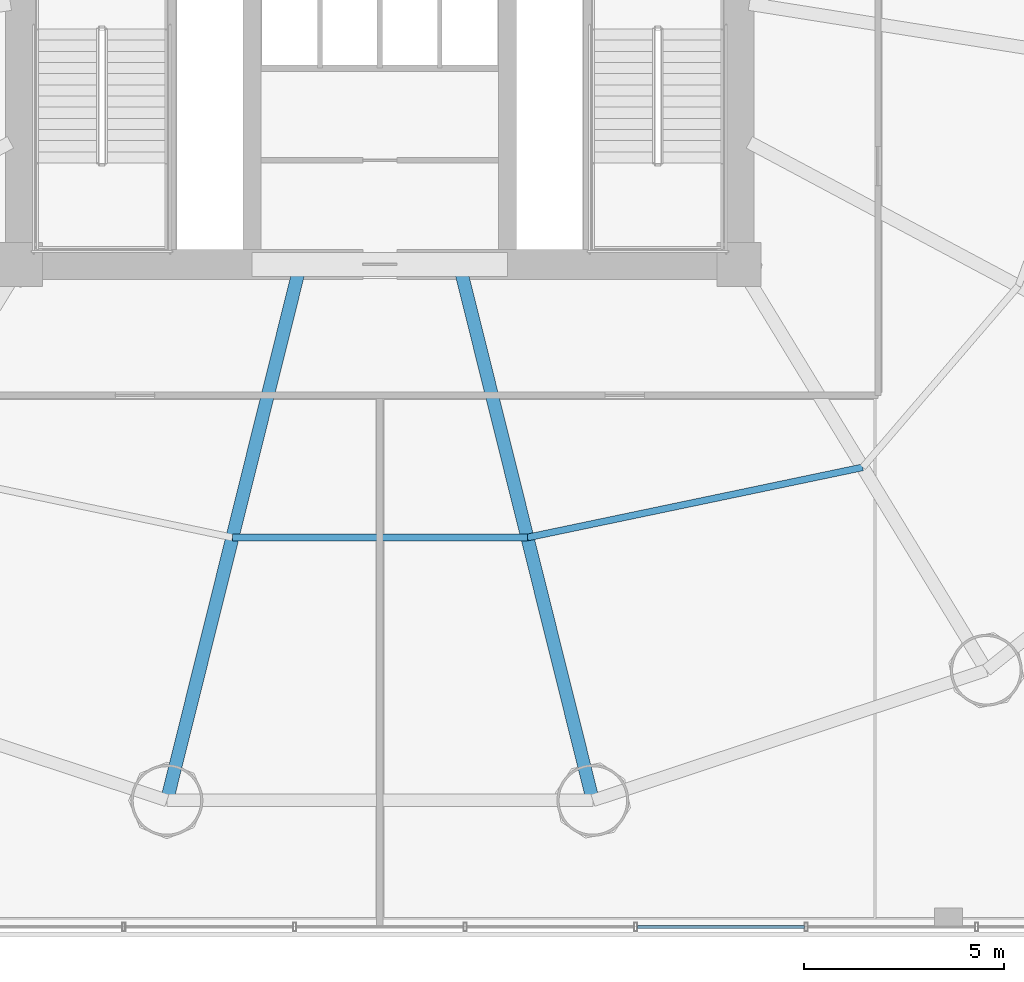
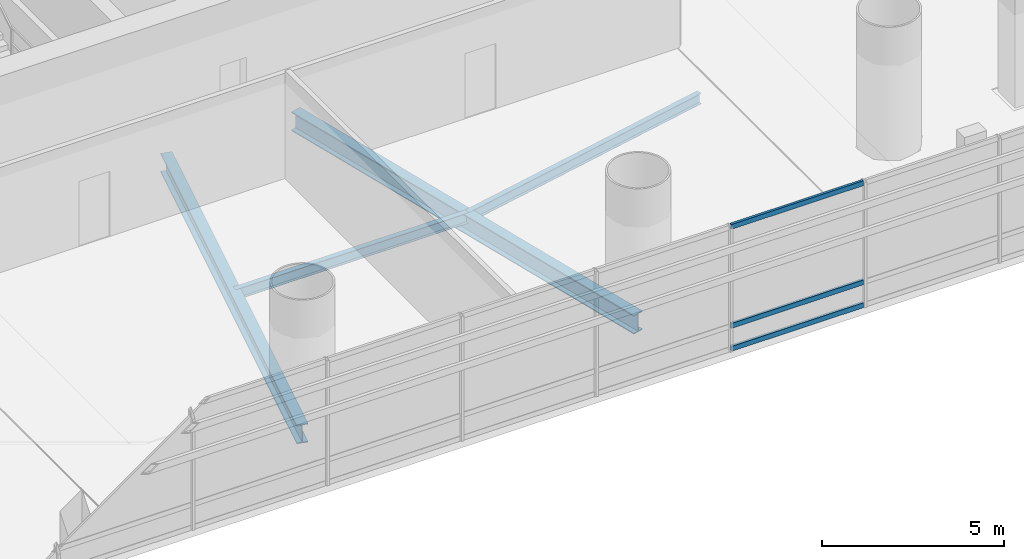
# One storey, part 7 of 36: 4 beams, 3 members, 1 element without a shape of its own.
"""IFC4 building model written with IfcOpenShell, lengths in metres."""

from ifc_helpers import new_model, si_unit, direction, frame, origin, origin_2d, place, context, subcontext, project, spatial, hollow_rectangle, i_section, extrude, source, transform, mapped, material, material_profile, profile_set, type_object, element, aggregate, save


model = new_model("IFC4")

# Units and contexts
model_context = context("Model", 3, precision=1e-05, world=origin(), true_north=direction((-0.2419218956, 0.970295726276)))
body_context = subcontext(model_context, "Body", "Model", "MODEL_VIEW")
ifc_project = project(units=[si_unit("LENGTHUNIT", "METRE"), si_unit("AREAUNIT", "SQUARE_METRE"), si_unit("VOLUMEUNIT", "CUBIC_METRE"), si_unit("PLANEANGLEUNIT", "RADIAN"), si_unit("MASSUNIT", "GRAM", prefix="KILO")], contexts=[model_context])

# Site, building, storey
site_placement = place(None, origin())
site = spatial("IfcSite", under=ifc_project, at=site_placement, CompositionType="ELEMENT")
building_placement = place(site_placement, origin())
building = spatial("IfcBuilding", under=site, at=building_placement, Name="Cobrevalo Terracotta Tower", CompositionType="ELEMENT")
storey_placement = place(building_placement, frame((0.0, 0.0, 5.39990234375)))
storey = spatial("IfcBuildingStorey", under=building, at=storey_placement, Name="L01", CompositionType="ELEMENT", Elevation=5.39990234375)

# Beams
ifc_material_1 = material(Name="Steel S355", Category="steel")
ifc_material_profile_1 = material_profile(ifc_material_1, i_section(OverallWidth=0.3291015625, OverallDepth=0.635009765625, WebThickness=0.017822265625, FlangeThickness=0.031005859375, at=origin_2d()), Name="W 610x241")
ifc_profile_set_1 = profile_set([ifc_material_profile_1], Name="Steel S355")
beam_type_1 = type_object("IfcBeamType", Name="Structural Beam W 610x241 (Steel S355)", PredefinedType="BEAM", material=ifc_profile_set_1)
for number, where, z_axis, x_axis, name in (
    (1, (32.664306640625, 5.369873046875, -0.617431640625), (0.241600470374, 0.970375810042, 0.0), (-0.970375810042, 0.241600470374, 0.0), "L01 radial floor girder 12"),
    (2, (43.335693359375, 5.369873046875, -0.617431640625), (-0.241600470374, 0.970375810042, 0.0), (-0.970375810042, -0.241600470374, 0.0), "L01 radial floor girder 13"),
):
    element("IfcBeam", number, at=place(storey_placement, frame(where, z_axis=z_axis, x_axis=x_axis)), inside=storey, type_object=beam_type_1, Name=name, PredefinedType="BEAM", context=body_context, shape_type="SweptSolid", body=[
        extrude(i_section(OverallWidth=0.3291015625, OverallDepth=0.635009765625, WebThickness=0.017822265625, FlangeThickness=0.031005859375, at=origin_2d()), origin(), (0.0, 0.0, 1.0), 13.5771484375),
    ])
ifc_material_profile_2 = material_profile(ifc_material_1, i_section(OverallWidth=0.1708984375, OverallDepth=0.35498046875, WebThickness=0.007080078125, FlangeThickness=0.01171875, at=origin_2d()), Name="W 360x51")
ifc_profile_set_2 = profile_set([ifc_material_profile_2], Name="Steel S355")
beam_type_2 = type_object("IfcBeamType", Name="Structural Joist W 360x51 (Steel S355)", PredefinedType="JOIST", material=ifc_profile_set_2)
beam_1_placement = place(storey_placement, frame((34.304443359375, 11.95751953125, -0.477294921875), z_axis=(1.0, 0.0, 0.0), x_axis=(0.0, 1.0, 0.0)))
element("IfcBeam", 3, at=beam_1_placement, inside=storey, type_object=beam_type_2, Name="L01 circumferential secondary floor joist 12", PredefinedType="JOIST", context=body_context, shape_type="SweptSolid", body=[
    extrude(i_section(OverallWidth=0.1708984375, OverallDepth=0.35498046875, WebThickness=0.007080078125, FlangeThickness=0.01171875, at=origin_2d()), origin(), (0.0, 0.0, 1.0), 7.39111328125),
])
beam_2_placement = place(storey_placement, frame((41.695556640625, 11.95751953125, -0.477294921875), z_axis=(0.978784523904, 0.204892302848, 0.0), x_axis=(-0.204892302848, 0.978784523904, 0.0)))
element("IfcBeam", 4, at=beam_2_placement, inside=storey, type_object=beam_type_2, Name="L01 circumferential secondary floor joist 13", PredefinedType="JOIST", context=body_context, shape_type="SweptSolid", body=[
    extrude(i_section(OverallWidth=0.1708984375, OverallDepth=0.35498046875, WebThickness=0.007080078125, FlangeThickness=0.01171875, at=origin_2d()), origin(), (0.0, 0.0, 1.0), 8.583984375),
])

# Curtain wall, members
ifc_material_2 = material(Name="Anodized aluminium", Category="aluminium")
curtain_wall_type = type_object("IfcCurtainWallType", Name="Double-height storefront stick curtain wall CW-S1", PredefinedType="NOTDEFINED", material=ifc_material_2)
curtain_wall_placement = place(storey_placement, origin())
curtain_wall = element("IfcCurtainWall", 5, at=curtain_wall_placement, inside=storey, type_object=curtain_wall_type, Name="L01 curtain wall CW-POD-L01-S", PredefinedType="NOTDEFINED")
ifc_material_profile_3 = material_profile(ifc_material_2, hollow_rectangle(XDim=0.080078125, YDim=0.1650390625, WallThickness=0.00439453125, at=origin_2d()), Name="CWT 80x165")
ifc_profile_set_3 = profile_set([ifc_material_profile_3], Name="Anodized aluminium")
member_type = type_object("IfcMemberType", Name="Storefront & atrium aluminium transom 80x165", PredefinedType="USERDEFINED", material=ifc_profile_set_3)
shared_shape = source(origin(), body_context, "Body", "SweptSolid", [
    extrude(hollow_rectangle(XDim=0.080078125, YDim=0.1650390625, WallThickness=0.00439453125, at=origin_2d()), origin(), (0.0, 0.0, 1.0), 4.193359375),
])
member_1_placement = place(storey_placement, frame((44.449951171875, 2.199951171875, 0.050048828125), z_axis=(1.0, 0.0, 0.0), x_axis=(0.0, 1.0, 0.0)))
member_1 = element("IfcMember", 6, at=member_1_placement, type_object=member_type, Name="CW-POD-L01-S transom B10-T1", ObjectType="TRANSOM", PredefinedType="USERDEFINED", context=body_context, shape_type="MappedRepresentation", body=[
    mapped(shared_shape, transform((0.0, 0.0, 0.0), scale=1.0)),
])
member_2_placement = place(storey_placement, frame((44.449951171875, 2.199951171875, 0.820068359375), z_axis=(1.0, 0.0, 0.0), x_axis=(0.0, 1.0, 0.0)))
member_2 = element("IfcMember", 7, at=member_2_placement, type_object=member_type, Name="CW-POD-L01-S transom B10-T2", ObjectType="TRANSOM", PredefinedType="USERDEFINED", context=body_context, shape_type="MappedRepresentation", body=[
    mapped(shared_shape, transform((0.0, 0.0, 0.0), scale=1.0)),
])
member_3_placement = place(storey_placement, frame((44.449951171875, 2.199951171875, 4.150146484375), z_axis=(1.0, 0.0, 0.0), x_axis=(0.0, 1.0, 0.0)))
member_3 = element("IfcMember", 8, at=member_3_placement, type_object=member_type, Name="CW-POD-L01-S transom B10-T3", ObjectType="TRANSOM", PredefinedType="USERDEFINED", context=body_context, shape_type="MappedRepresentation", body=[
    mapped(shared_shape, transform((0.0, 0.0, 0.0), scale=1.0)),
])
aggregate(curtain_wall, [member_1, member_2, member_3])

save(model, "model.ifc")
